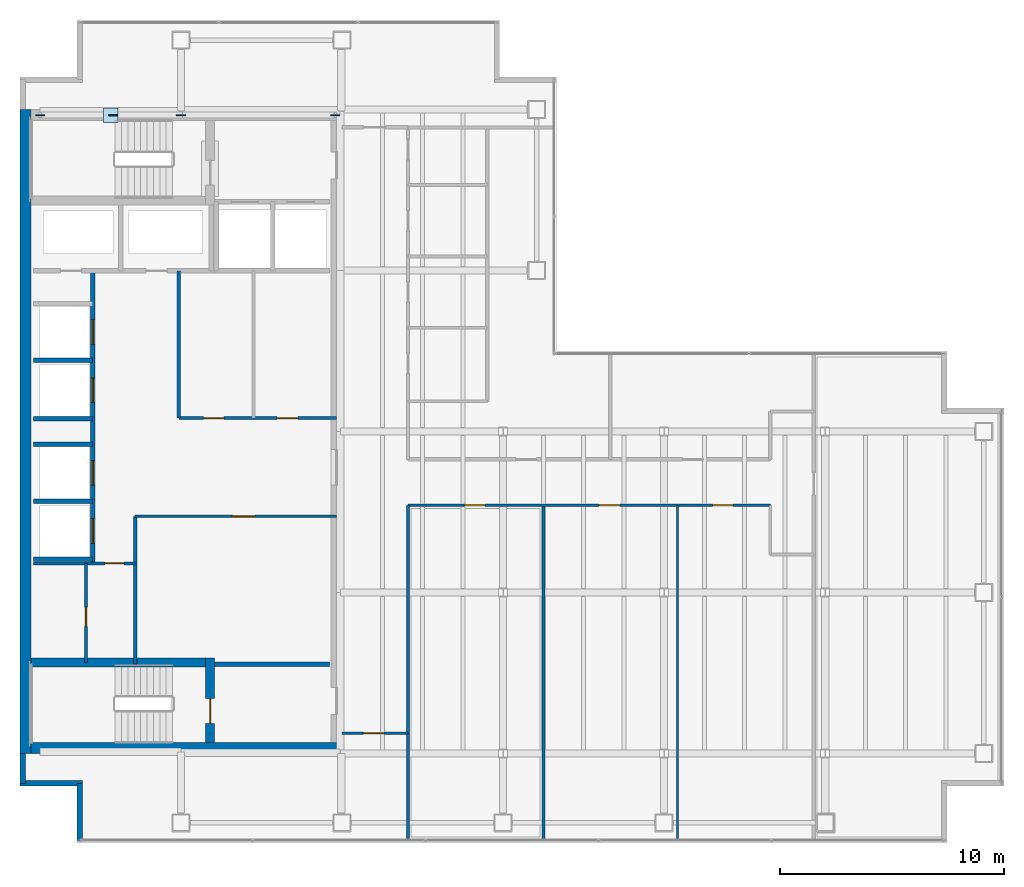
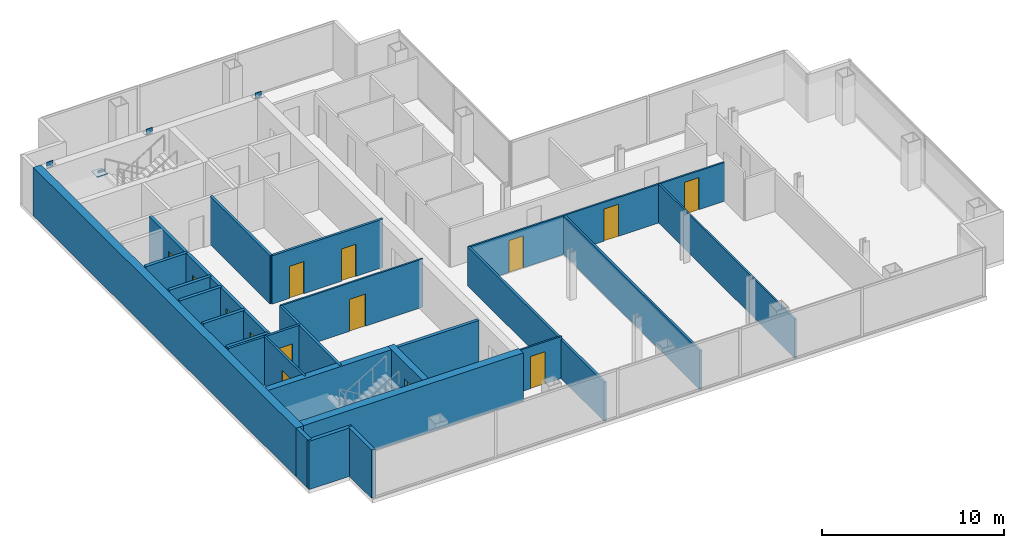
# One storey, part 20 of 23: 26 walls, 14 doors, 5 plates, 14 openings.
"""IFC4 building model written with IfcOpenShell, lengths in metres."""

from ifc_helpers import new_model, si_unit, direction, frame, frame_2d, origin, origin_2d, place, context, subcontext, project, spatial, rectangle, extrude, material, layer, layer_set, type_object, element, fill, save


model = new_model("IFC4")

# Units and contexts
model_context = context("Model", 3, precision=1e-05, world=origin(), true_north=direction((0.0, 1.0)))
body_context = subcontext(model_context, "Body", "Model", "MODEL_VIEW")
ifc_project = project(units=[si_unit("LENGTHUNIT", "METRE"), si_unit("AREAUNIT", "SQUARE_METRE"), si_unit("VOLUMEUNIT", "CUBIC_METRE"), si_unit("PLANEANGLEUNIT", "RADIAN"), si_unit("MASSUNIT", "GRAM", prefix="KILO")], contexts=[model_context])

# Site, building, storey
site_placement = place(None, origin())
site = spatial("IfcSite", under=ifc_project, at=site_placement, CompositionType="ELEMENT")
building_placement = place(site_placement, origin())
building = spatial("IfcBuilding", under=site, at=building_placement, Name="Cobrela Telecom Tower", CompositionType="ELEMENT")
storey_placement = place(building_placement, frame((0.0, 0.0, 187.25)))
storey = spatial("IfcBuildingStorey", under=building, at=storey_placement, Name="L47", CompositionType="ELEMENT", Elevation=187.25)

# Plates
ifc_material_1 = material(Name="Steel ASTM A572 Grade 50", Category="steel")
ifc_layer_1 = layer(ifc_material_1, 0.0419921875)
ifc_layer_set_1 = layer_set([ifc_layer_1], Name="Steel ASTM A572 Grade 50")
plate_type = type_object("IfcPlateType", Name="PLT-NODE-ND1", PredefinedType="USERDEFINED", material=ifc_layer_set_1)
for number, where, z_axis, x_axis, name in (
    (1, (7.199951171875, 35.75, 3.0751953125), (0.0, 0.0, 1.0), (1.0, 0.0, 0.0), "Steel node plate PLT-MBR-EXO-L47-N1-A-1"),
    (2, (4.173828125, 35.75, 1.349609375), (0.0, 0.0, 1.0), (-1.0, 0.0, 0.0), "Steel node plate PLT-MBR-EXO-L47-N1-B1-1"),
    (3, (0.89990234375, 35.75, 3.0751953125), (0.0, 0.0, 1.0), (-1.0, 0.0, 0.0), "Steel node plate PLT-MBR-EXO-L47-N1-B2-1"),
):
    element("IfcPlate", number, at=place(storey_placement, frame(where, z_axis=z_axis, x_axis=x_axis)), inside=storey, type_object=plate_type, Name=name, ObjectType="GUSSET PLATE", PredefinedType="USERDEFINED", context=body_context, shape_type="SweptSolid", body=[
        extrude(rectangle(XDim=0.409912109375, YDim=0.044921875, at=origin_2d()), origin(), (0.0, 0.0, 1.0), 0.409912109375),
    ])
plate_1_placement = place(storey_placement, frame((4.050048828125, 35.75, 1.59765625), z_axis=(0.0, 0.0, 1.0), x_axis=(1.0, 0.0, 0.0)))
element("IfcPlate", 4, at=plate_1_placement, inside=storey, type_object=plate_type, Name="L47 Core Flange Steel X-Brace Central X-Crossing Gusset Plate", ObjectType="GUSSET PLATE", PredefinedType="USERDEFINED", context=body_context, shape_type="SweptSolid", body=[
    extrude(rectangle(XDim=0.64990234375, YDim=0.64990234375, at=origin_2d()), origin(), (0.0, 0.0, 1.0), 0.044921875),
])
plate_2_placement = place(storey_placement, frame((14.10009765625, 35.75, 3.0751953125), z_axis=(0.0, 0.0, 1.0), x_axis=(1.0, 0.0, 0.0)))
element("IfcPlate", 5, at=plate_2_placement, inside=storey, type_object=plate_type, Name="Steel node plate PLT-MBR-EXO-L47-N2-1", ObjectType="GUSSET PLATE", PredefinedType="USERDEFINED", context=body_context, shape_type="SweptSolid", body=[
    extrude(rectangle(XDim=0.409912109375, YDim=0.044921875, at=origin_2d()), origin(), (0.0, 0.0, 1.0), 0.409912109375),
])

# Walls
ifc_material_2 = material(Name="Concrete C40/50", Category="concrete")
ifc_layer_2 = layer(ifc_material_2, 0.5)
ifc_layer_set_2 = layer_set([ifc_layer_2], Name="Concrete C40/50")
wall_type_1 = type_object("IfcWallType", Name="WALL-CORE-C40-500", PredefinedType="SHEAR", material=ifc_layer_set_2)
wall_1_placement = place(storey_placement, frame((0.25, 7.199951171875, 0.0), z_axis=(0.0, 0.0, 1.0), x_axis=(0.0, 1.0, 0.0)))
element("IfcWall", 6, at=wall_1_placement, inside=storey, type_object=wall_type_1, Name="L47 West Core Shear Wall", PredefinedType="SHEAR", context=body_context, shape_type="SweptSolid", body=[
    extrude(rectangle(XDim=28.800048828125, YDim=0.5, at=frame_2d((14.39990234375, 0.0))), origin(), (0.0, 0.0, 1.0), 3.239990234375),
])
wall_2_placement = place(storey_placement, frame((0.5, 7.449951171875, 0.0), z_axis=(0.0, 0.0, 1.0), x_axis=(1.0, 0.0, 0.0)))
element("IfcWall", 7, at=wall_2_placement, inside=storey, type_object=wall_type_1, Name="L47 South Core Shear Wall", PredefinedType="SHEAR", context=body_context, shape_type="SweptSolid", body=[
    extrude(rectangle(XDim=13.89990234375, YDim=0.5, at=frame_2d((6.949951171875, 0.0))), origin(), (0.0, 0.0, 1.0), 3.239990234375),
])
ifc_layer_3 = layer(ifc_material_2, 0.239990234375)
ifc_layer_set_3 = layer_set([ifc_layer_3], Name="Concrete C40/50")
wall_type_2 = type_object("IfcWallType", Name="WALL-EXT-300", PredefinedType="STANDARD", material=ifc_layer_set_3)
wall_3_placement = place(storey_placement, frame((2.669921875, 3.320068359375, 0.0), z_axis=(0.0, 0.0, 1.0), x_axis=(0.0, 1.0, 0.0)))
element("IfcWall", 8, at=wall_3_placement, inside=storey, type_object=wall_type_2, Name="L47 Insulated Facade Wall 01", PredefinedType="STANDARD", context=body_context, shape_type="SweptSolid", body=[
    extrude(rectangle(XDim=2.550048828125, YDim=0.239990234375, at=frame_2d((1.27490234375, 0.0))), origin(), (0.0, 0.0, 1.0), 3.239990234375),
])
wall_4_placement = place(storey_placement, frame((2.7900390625, 5.8701171875, 0.0), z_axis=(0.0, 0.0, 1.0), x_axis=(-1.0, 0.0, 0.0)))
element("IfcWall", 9, at=wall_4_placement, inside=storey, type_object=wall_type_2, Name="L47 Insulated Facade Wall 02", PredefinedType="STANDARD", context=body_context, shape_type="SweptSolid", body=[
    extrude(rectangle(XDim=2.7900390625, YDim=0.239990234375, at=frame_2d((1.39501953125, 0.0))), origin(), (0.0, 0.0, 1.0), 3.239990234375),
])
wall_5_placement = place(storey_placement, frame((0.1201171875, 5.8701171875, 0.0), z_axis=(0.0, 0.0, 1.0), x_axis=(0.0, 1.0, 0.0)))
element("IfcWall", 10, at=wall_5_placement, inside=storey, type_object=wall_type_2, Name="L47 Insulated Facade Wall 03", PredefinedType="STANDARD", context=body_context, shape_type="SweptSolid", body=[
    extrude(rectangle(XDim=1.329833984375, YDim=0.239990234375, at=frame_2d((0.6650390625, 0.0))), origin(), (0.0, 0.0, 1.0), 3.239990234375),
])

# Wall, opening, door
ifc_material_3 = material(Name="Fire-Rated Gypsum Plasterboard")
ifc_layer_4 = layer(ifc_material_3, 0.110107421875)
ifc_layer_set_4 = layer_set([ifc_layer_4], Name="Fire-Rated Gypsum Plasterboard")
wall_type_3 = type_object("IfcWallType", Name="WALL-PART-110", PredefinedType="PARTITIONING", material=ifc_layer_set_4)
wall_6_placement = place(storey_placement, frame((5.14990234375, 17.800048828125, 0.0), z_axis=(0.0, 0.0, 1.0), x_axis=(1.0, 0.0, 0.0)))
wall_6 = element("IfcWall", 11, at=wall_6_placement, inside=storey, type_object=wall_type_3, Name="L47 Interior Partition CW-RECM-N", PredefinedType="PARTITIONING", context=body_context, shape_type="SweptSolid", body=[
    extrude(rectangle(XDim=9.0, YDim=0.110107421875, at=frame_2d((4.5, 0.0))), origin(), (0.0, 0.0, 1.0), 3.239990234375),
])
opening_1_placement = place(wall_6_placement, frame((4.35009765625, 0.0, 0.0)))
opening_1 = element("IfcOpeningElement", 12, at=opening_1_placement, cuts=wall_6, Name="Opening DR-31", PredefinedType="OPENING", context=body_context, shape_type="SweptSolid", body=[
    extrude(rectangle(XDim=1.0, YDim=2.14990234375, at=frame_2d((0.5, 1.074951171875))), frame((0.0, 0.06689453125, 0.0), z_axis=(0.0, -1.0, 0.0), x_axis=(1.0, 0.0, 0.0)), (0.0, 0.0, 1.0), 0.134033203125),
])
ifc_material_4 = material(Name="Solid Engineered Oak Timber", Category="wood")
door_type_1 = type_object("IfcDoorType", Name="DOOR-INT-1000", OperationType="SINGLE_SWING_LEFT", PredefinedType="DOOR", material=ifc_material_4)
door_1_placement = place(opening_1_placement, origin())
door_1 = element("IfcDoor", 13, at=door_1_placement, inside=storey, type_object=door_type_1, Name="L47 Door DR-31", OperationType="SINGLE_SWING_LEFT", OverallHeight=2.14990234375, OverallWidth=1.0, PredefinedType="DOOR", context=body_context, shape_type="SweptSolid", body=[
    extrude(rectangle(XDim=1.0, YDim=2.14990234375, at=frame_2d((0.5, 1.074951171875))), frame((0.0, 0.02490234375, 0.0), z_axis=(0.0, -1.0, 0.0), x_axis=(1.0, 0.0, 0.0)), (0.0, 0.0, 1.0), 0.050048828125),
])
fill(opening_1, door_1)

wall_7_placement = place(storey_placement, frame((14.39990234375, 8.10009765625, 0.0), z_axis=(0.0, 0.0, 1.0), x_axis=(1.0, 0.0, 0.0)))
wall_7 = element("IfcWall", 14, at=wall_7_placement, inside=storey, type_object=wall_type_3, Name="L47 Interior Partition W-C-S0", PredefinedType="PARTITIONING", context=body_context, shape_type="SweptSolid", body=[
    extrude(rectangle(XDim=2.9501953125, YDim=0.110107421875, at=frame_2d((1.47509765625, 0.0))), origin(), (0.0, 0.0, 1.0), 2.80810546875),
])
opening_2_placement = place(wall_7_placement, frame((0.949951171875, 0.0, 0.0)))
opening_2 = element("IfcOpeningElement", 15, at=opening_2_placement, cuts=wall_7, Name="Opening DR-45", PredefinedType="OPENING", context=body_context, shape_type="SweptSolid", body=[
    extrude(rectangle(XDim=0.919921875, YDim=2.14990234375, at=frame_2d((0.4599609375, 1.074951171875))), frame((0.0, 0.06689453125, 0.0), z_axis=(0.0, -1.0, 0.0), x_axis=(1.0, 0.0, 0.0)), (0.0, 0.0, 1.0), 0.134033203125),
])
door_type_2 = type_object("IfcDoorType", Name="DOOR-INT-920", OperationType="SINGLE_SWING_LEFT", PredefinedType="DOOR", material=ifc_material_4)
door_2_placement = place(opening_2_placement, origin())
door_2 = element("IfcDoor", 16, at=door_2_placement, inside=storey, type_object=door_type_2, Name="L47 Door DR-45", OperationType="SINGLE_SWING_RIGHT", OverallHeight=2.14990234375, OverallWidth=0.919921875, PredefinedType="DOOR", context=body_context, shape_type="SweptSolid", body=[
    extrude(rectangle(XDim=0.919921875, YDim=2.14990234375, at=frame_2d((0.4599609375, 1.074951171875))), frame((0.0, 0.02490234375, 0.0), z_axis=(0.0, -1.0, 0.0), x_axis=(1.0, 0.0, 0.0)), (0.0, 0.0, 1.0), 0.050048828125),
])
fill(opening_2, door_2)

# Wall, openings, doors
wall_8_placement = place(storey_placement, frame((17.35009765625, 18.300048828125, 0.0), z_axis=(0.0, 0.0, 1.0), x_axis=(1.0, 0.0, 0.0)))
wall_8 = element("IfcWall", 17, at=wall_8_placement, inside=storey, type_object=wall_type_3, Name="L47 Interior Partition W-C-HS", PredefinedType="PARTITIONING", context=body_context, shape_type="SweptSolid", body=[
    extrude(rectangle(XDim=16.199951171875, YDim=0.110107421875, at=frame_2d((8.10009765625, 0.0))), origin(), (0.0, 0.0, 1.0), 2.60302734375),
])
opening_3_placement = place(wall_8_placement, frame((2.52001953125, 0.0, 0.0)))
opening_3 = element("IfcOpeningElement", 18, at=opening_3_placement, cuts=wall_8, Name="Opening DR-45", PredefinedType="OPENING", context=body_context, shape_type="SweptSolid", body=[
    extrude(rectangle(XDim=0.919921875, YDim=2.14990234375, at=frame_2d((0.4599609375, 1.074951171875))), frame((0.0, 0.06689453125, 0.0), z_axis=(0.0, -1.0, 0.0), x_axis=(1.0, 0.0, 0.0)), (0.0, 0.0, 1.0), 0.134033203125),
])
opening_4_placement = place(wall_8_placement, frame((8.550048828125, 0.0, 0.0)))
opening_4 = element("IfcOpeningElement", 19, at=opening_4_placement, cuts=wall_8, Name="Opening DR-45", PredefinedType="OPENING", context=body_context, shape_type="SweptSolid", body=[
    extrude(rectangle(XDim=0.919921875, YDim=2.14990234375, at=frame_2d((0.4599609375, 1.074951171875))), frame((0.0, 0.06689453125, 0.0), z_axis=(0.0, -1.0, 0.0), x_axis=(1.0, 0.0, 0.0)), (0.0, 0.0, 1.0), 0.134033203125),
])
opening_5_placement = place(wall_8_placement, frame((13.6201171875, 0.0, 0.0)))
opening_5 = element("IfcOpeningElement", 20, at=opening_5_placement, cuts=wall_8, Name="Opening DR-45", PredefinedType="OPENING", context=body_context, shape_type="SweptSolid", body=[
    extrude(rectangle(XDim=0.919921875, YDim=2.14990234375, at=frame_2d((0.4599609375, 1.074951171875))), frame((0.0, 0.06689453125, 0.0), z_axis=(0.0, -1.0, 0.0), x_axis=(1.0, 0.0, 0.0)), (0.0, 0.0, 1.0), 0.134033203125),
])
door_3_placement = place(opening_3_placement, origin())
door_3 = element("IfcDoor", 21, at=door_3_placement, inside=storey, type_object=door_type_2, Name="L47 Door DR-45", OperationType="SINGLE_SWING_LEFT", OverallHeight=2.14990234375, OverallWidth=0.919921875, PredefinedType="DOOR", context=body_context, shape_type="SweptSolid", body=[
    extrude(rectangle(XDim=0.919921875, YDim=2.14990234375, at=frame_2d((0.4599609375, 1.074951171875))), frame((0.0, 0.02490234375, 0.0), z_axis=(0.0, -1.0, 0.0), x_axis=(1.0, 0.0, 0.0)), (0.0, 0.0, 1.0), 0.050048828125),
])
fill(opening_3, door_3)
door_4_placement = place(opening_4_placement, origin())
door_4 = element("IfcDoor", 22, at=door_4_placement, inside=storey, type_object=door_type_2, Name="L47 Door DR-45", OperationType="SINGLE_SWING_RIGHT", OverallHeight=2.14990234375, OverallWidth=0.919921875, PredefinedType="DOOR", context=body_context, shape_type="SweptSolid", body=[
    extrude(rectangle(XDim=0.919921875, YDim=2.14990234375, at=frame_2d((0.4599609375, 1.074951171875))), frame((0.0, 0.02490234375, 0.0), z_axis=(0.0, -1.0, 0.0), x_axis=(1.0, 0.0, 0.0)), (0.0, 0.0, 1.0), 0.050048828125),
])
fill(opening_4, door_4)
door_5_placement = place(opening_5_placement, origin())
door_5 = element("IfcDoor", 23, at=door_5_placement, inside=storey, type_object=door_type_2, Name="L47 Door DR-45", OperationType="SINGLE_SWING_LEFT", OverallHeight=2.14990234375, OverallWidth=0.919921875, PredefinedType="DOOR", context=body_context, shape_type="SweptSolid", body=[
    extrude(rectangle(XDim=0.919921875, YDim=2.14990234375, at=frame_2d((0.4599609375, 1.074951171875))), frame((0.0, 0.02490234375, 0.0), z_axis=(0.0, -1.0, 0.0), x_axis=(1.0, 0.0, 0.0)), (0.0, 0.0, 1.0), 0.050048828125),
])
fill(opening_5, door_5)

# Wall
wall_9_placement = place(storey_placement, frame((29.39990234375, 3.320068359375, 0.0), z_axis=(0.0, 0.0, 1.0), x_axis=(0.0, 1.0, 0.0)))
element("IfcWall", 24, at=wall_9_placement, inside=storey, type_object=wall_type_3, Name="L47 Interior Partition W-SV-2", PredefinedType="PARTITIONING", context=body_context, shape_type="SweptSolid", body=[
    extrude(rectangle(XDim=14.97998046875, YDim=0.110107421875, at=frame_2d((7.489990234375, 0.0))), origin(), (0.0, 0.0, 1.0), 2.60302734375),
])

# Wall, opening, door
ifc_layer_5 = layer(ifc_material_3, 0.125)
ifc_layer_set_5 = layer_set([ifc_layer_5], Name="Fire-Rated Gypsum Plasterboard")
wall_type_4 = type_object("IfcWallType", Name="WALL-PART-125", PredefinedType="PARTITIONING", material=ifc_layer_set_5)
wall_10_placement = place(storey_placement, frame((2.949951171875, 11.280029296875, 0.0), z_axis=(0.0, 0.0, 1.0), x_axis=(0.0, 1.0, 0.0)))
wall_10 = element("IfcWall", 25, at=wall_10_placement, inside=storey, type_object=wall_type_4, Name="L47 Interior Partition CW-FK1-V", PredefinedType="PARTITIONING", context=body_context, shape_type="SweptSolid", body=[
    extrude(rectangle(XDim=4.419921875, YDim=0.125, at=frame_2d((2.2099609375, 0.0))), origin(), (0.0, 0.0, 1.0), 3.239990234375),
])
opening_6_placement = place(wall_10_placement, frame((1.60009765625, 0.0, 0.0)))
opening_6 = element("IfcOpeningElement", 26, at=opening_6_placement, cuts=wall_10, Name="Opening DR-11", PredefinedType="OPENING", context=body_context, shape_type="SweptSolid", body=[
    extrude(rectangle(XDim=0.85009765625, YDim=2.14990234375, at=frame_2d((0.425048828125, 1.074951171875))), frame((0.0, 0.074462890625, 0.0), z_axis=(0.0, -1.0, 0.0), x_axis=(1.0, 0.0, 0.0)), (0.0, 0.0, 1.0), 0.14892578125),
])
door_type_3 = type_object("IfcDoorType", Name="DOOR-INT-850", OperationType="SINGLE_SWING_LEFT", PredefinedType="DOOR", material=ifc_material_4)
door_6_placement = place(opening_6_placement, origin())
door_6 = element("IfcDoor", 27, at=door_6_placement, inside=storey, type_object=door_type_3, Name="L47 Door DR-11", OperationType="SINGLE_SWING_RIGHT", OverallHeight=2.14990234375, OverallWidth=0.85009765625, PredefinedType="DOOR", context=body_context, shape_type="SweptSolid", body=[
    extrude(rectangle(XDim=0.85009765625, YDim=2.14990234375, at=frame_2d((0.425048828125, 1.074951171875))), frame((0.0, 0.02490234375, 0.0), z_axis=(0.0, -1.0, 0.0), x_axis=(1.0, 0.0, 0.0)), (0.0, 0.0, 1.0), 0.050048828125),
])
fill(opening_6, door_6)

# Wall
ifc_layer_6 = layer(ifc_material_3, 0.135009765625)
ifc_layer_set_6 = layer_set([ifc_layer_6], Name="Fire-Rated Gypsum Plasterboard")
wall_type_5 = type_object("IfcWallType", Name="WALL-PART-135", PredefinedType="PARTITIONING", material=ifc_layer_set_6)
wall_11_placement = place(storey_placement, frame((23.39990234375, 3.320068359375, 0.0), z_axis=(0.0, 0.0, 1.0), x_axis=(0.0, 1.0, 0.0)))
element("IfcWall", 28, at=wall_11_placement, inside=storey, type_object=wall_type_5, Name="L47 Interior Partition W-SV-1", PredefinedType="PARTITIONING", context=body_context, shape_type="SweptSolid", body=[
    extrude(rectangle(XDim=14.97998046875, YDim=0.135009765625, at=frame_2d((7.489990234375, 0.0))), origin(), (0.0, 0.0, 1.0), 2.60302734375),
])

# Wall, openings, doors
ifc_layer_7 = layer(ifc_material_3, 0.14990234375)
ifc_layer_set_7 = layer_set([ifc_layer_7], Name="Fire-Rated Gypsum Plasterboard")
wall_type_6 = type_object("IfcWallType", Name="WALL-PART-150", PredefinedType="PARTITIONING", material=ifc_layer_set_7)
wall_12_placement = place(storey_placement, frame((7.10009765625, 22.199951171875, 0.0), z_axis=(0.0, 0.0, 1.0), x_axis=(1.0, 0.0, 0.0)))
wall_12 = element("IfcWall", 29, at=wall_12_placement, inside=storey, type_object=wall_type_6, Name="L47 Interior Partition CW-RECL-S", PredefinedType="PARTITIONING", context=body_context, shape_type="SweptSolid", body=[
    extrude(rectangle(XDim=7.0498046875, YDim=0.14990234375, at=frame_2d((3.52490234375, 0.0))), origin(), (0.0, 0.0, 1.0), 3.239990234375),
])
opening_7_placement = place(wall_12_placement, frame((1.10009765625, 0.0, 0.0)))
opening_7 = element("IfcOpeningElement", 30, at=opening_7_placement, cuts=wall_12, Name="Opening DR-45", PredefinedType="OPENING", context=body_context, shape_type="SweptSolid", body=[
    extrude(rectangle(XDim=0.919921875, YDim=2.14990234375, at=frame_2d((0.4599609375, 1.074951171875))), frame((0.0, 0.0869140625, 0.0), z_axis=(0.0, -1.0, 0.0), x_axis=(1.0, 0.0, 0.0)), (0.0, 0.0, 1.0), 0.173828125),
])
opening_8_placement = place(wall_12_placement, frame((4.39990234375, 0.0, 0.0)))
opening_8 = element("IfcOpeningElement", 31, at=opening_8_placement, cuts=wall_12, Name="Opening DR-45", PredefinedType="OPENING", context=body_context, shape_type="SweptSolid", body=[
    extrude(rectangle(XDim=0.919921875, YDim=2.14990234375, at=frame_2d((0.4599609375, 1.074951171875))), frame((0.0, 0.0869140625, 0.0), z_axis=(0.0, -1.0, 0.0), x_axis=(1.0, 0.0, 0.0)), (0.0, 0.0, 1.0), 0.173828125),
])
door_7_placement = place(opening_7_placement, origin())
door_7 = element("IfcDoor", 32, at=door_7_placement, inside=storey, type_object=door_type_2, Name="L47 Door DR-45", OperationType="SINGLE_SWING_LEFT", OverallHeight=2.14990234375, OverallWidth=0.919921875, PredefinedType="DOOR", context=body_context, shape_type="SweptSolid", body=[
    extrude(rectangle(XDim=0.919921875, YDim=2.14990234375, at=frame_2d((0.4599609375, 1.074951171875))), frame((0.0, 0.02490234375, 0.0), z_axis=(0.0, -1.0, 0.0), x_axis=(1.0, 0.0, 0.0)), (0.0, 0.0, 1.0), 0.050048828125),
])
fill(opening_7, door_7)
door_8_placement = place(opening_8_placement, origin())
door_8 = element("IfcDoor", 33, at=door_8_placement, inside=storey, type_object=door_type_2, Name="L47 Door DR-45", OperationType="SINGLE_SWING_RIGHT", OverallHeight=2.14990234375, OverallWidth=0.919921875, PredefinedType="DOOR", context=body_context, shape_type="SweptSolid", body=[
    extrude(rectangle(XDim=0.919921875, YDim=2.14990234375, at=frame_2d((0.4599609375, 1.074951171875))), frame((0.0, 0.02490234375, 0.0), z_axis=(0.0, -1.0, 0.0), x_axis=(1.0, 0.0, 0.0)), (0.0, 0.0, 1.0), 0.050048828125),
])
fill(opening_8, door_8)

# Wall, opening, door
wall_13_placement = place(storey_placement, frame((0.60009765625, 15.699951171875, 0.0), z_axis=(0.0, 0.0, 1.0), x_axis=(1.0, 0.0, 0.0)))
wall_13 = element("IfcWall", 34, at=wall_13_placement, inside=storey, type_object=wall_type_6, Name="L47 Interior Partition CW-FLEX-N", PredefinedType="PARTITIONING", context=body_context, shape_type="SweptSolid", body=[
    extrude(rectangle(XDim=4.5498046875, YDim=0.14990234375, at=frame_2d((2.27490234375, 0.0))), origin(), (0.0, 0.0, 1.0), 3.239990234375),
])
opening_9_placement = place(wall_13_placement, frame((3.199951171875, 0.0, 0.0)))
opening_9 = element("IfcOpeningElement", 35, at=opening_9_placement, cuts=wall_13, Name="Opening DR-11", PredefinedType="OPENING", context=body_context, shape_type="SweptSolid", body=[
    extrude(rectangle(XDim=0.85009765625, YDim=2.14990234375, at=frame_2d((0.425048828125, 1.074951171875))), frame((0.0, 0.0869140625, 0.0), z_axis=(0.0, -1.0, 0.0), x_axis=(1.0, 0.0, 0.0)), (0.0, 0.0, 1.0), 0.173828125),
])
door_9_placement = place(opening_9_placement, origin())
door_9 = element("IfcDoor", 36, at=door_9_placement, inside=storey, type_object=door_type_3, Name="L47 Door DR-11", OperationType="SINGLE_SWING_LEFT", OverallHeight=2.14990234375, OverallWidth=0.85009765625, PredefinedType="DOOR", context=body_context, shape_type="SweptSolid", body=[
    extrude(rectangle(XDim=0.85009765625, YDim=2.14990234375, at=frame_2d((0.425048828125, 1.074951171875))), frame((0.0, 0.02490234375, 0.0), z_axis=(0.0, -1.0, 0.0), x_axis=(1.0, 0.0, 0.0)), (0.0, 0.0, 1.0), 0.050048828125),
])
fill(opening_9, door_9)

# Walls
wall_14_placement = place(storey_placement, frame((17.35009765625, 8.10009765625, 0.0), z_axis=(0.0, 0.0, 1.0), x_axis=(0.0, 1.0, 0.0)))
element("IfcWall", 37, at=wall_14_placement, inside=storey, type_object=wall_type_6, Name="L47 Interior Partition W-C-E1", PredefinedType="PARTITIONING", context=body_context, shape_type="SweptSolid", body=[
    extrude(rectangle(XDim=10.199951171875, YDim=0.14990234375, at=frame_2d((5.10009765625, 0.0))), origin(), (0.0, 0.0, 1.0), 2.60302734375),
])
wall_15_placement = place(storey_placement, frame((17.35009765625, 3.320068359375, 0.0), z_axis=(0.0, 0.0, 1.0), x_axis=(0.0, 1.0, 0.0)))
element("IfcWall", 38, at=wall_15_placement, inside=storey, type_object=wall_type_6, Name="L47 Interior Partition W-SW-E", PredefinedType="PARTITIONING", context=body_context, shape_type="SweptSolid", body=[
    extrude(rectangle(XDim=4.780029296875, YDim=0.14990234375, at=frame_2d((2.39013671875, 0.0))), origin(), (0.0, 0.0, 1.0), 2.60302734375),
])
ifc_layer_8 = layer(ifc_material_3, 0.159912109375)
ifc_layer_set_8 = layer_set([ifc_layer_8], Name="Fire-Rated Gypsum Plasterboard")
wall_type_7 = type_object("IfcWallType", Name="WALL-PART-160", PredefinedType="PARTITIONING", material=ifc_layer_set_8)
wall_16_placement = place(storey_placement, frame((7.10009765625, 22.199951171875, 0.0), z_axis=(0.0, 0.0, 1.0), x_axis=(0.0, 1.0, 0.0)))
element("IfcWall", 39, at=wall_16_placement, inside=storey, type_object=wall_type_7, Name="L47 Interior Partition CW-RECL-W", PredefinedType="PARTITIONING", context=body_context, shape_type="SweptSolid", body=[
    extrude(rectangle(XDim=6.580078125, YDim=0.159912109375, at=frame_2d((3.2900390625, 0.0))), origin(), (0.0, 0.0, 1.0), 3.239990234375),
])
wall_17_placement = place(storey_placement, frame((5.14990234375, 11.199951171875, 0.0), z_axis=(0.0, 0.0, 1.0), x_axis=(0.0, 1.0, 0.0)))
element("IfcWall", 40, at=wall_17_placement, inside=storey, type_object=wall_type_7, Name="L47 Interior Partition CW-RECM-W", PredefinedType="PARTITIONING", context=body_context, shape_type="SweptSolid", body=[
    extrude(rectangle(XDim=6.60009765625, YDim=0.159912109375, at=frame_2d((3.300048828125, 0.0))), origin(), (0.0, 0.0, 1.0), 3.239990234375),
])
ifc_layer_9 = layer(ifc_material_3, 0.199951171875)
ifc_layer_set_9 = layer_set([ifc_layer_9], Name="Fire-Rated Gypsum Plasterboard")
wall_type_8 = type_object("IfcWallType", Name="WALL-SHAFT-200", PredefinedType="PARTITIONING", material=ifc_layer_set_9)
wall_18_placement = place(storey_placement, frame((8.699951171875, 11.199951171875, 0.0), z_axis=(0.0, 0.0, 1.0), x_axis=(1.0, 0.0, 0.0)))
element("IfcWall", 41, at=wall_18_placement, inside=storey, type_object=wall_type_8, Name="L47 Shaft Enclosure CW-ST2L-N", PredefinedType="PARTITIONING", context=body_context, shape_type="SweptSolid", body=[
    extrude(rectangle(XDim=5.150146484375, YDim=0.199951171875, at=frame_2d((2.5751953125, 0.0))), origin(), (0.0, 0.0, 1.0), 3.239990234375),
])

# Wall, openings, doors
wall_19_placement = place(storey_placement, frame((3.25, 15.699951171875, 0.0), z_axis=(0.0, 0.0, 1.0), x_axis=(0.0, 1.0, 0.0)))
wall_19 = element("IfcWall", 42, at=wall_19_placement, inside=storey, type_object=wall_type_8, Name="L47 Shaft Enclosure CW-PLH-E", PredefinedType="PARTITIONING", context=body_context, shape_type="SweptSolid", body=[
    extrude(rectangle(XDim=13.080078125, YDim=0.199951171875, at=frame_2d((6.5400390625, 0.0))), origin(), (0.0, 0.0, 1.0), 3.239990234375),
])
opening_10_placement = place(wall_19_placement, frame((0.89990234375, 0.0, 0.0)))
opening_10 = element("IfcOpeningElement", 43, at=opening_10_placement, cuts=wall_19, Name="Opening LD-1", PredefinedType="OPENING", context=body_context, shape_type="SweptSolid", body=[
    extrude(rectangle(XDim=1.10009765625, YDim=2.199951171875, at=frame_2d((0.550048828125, 1.10009765625))), frame((0.0, 0.11181640625, 0.0), z_axis=(0.0, -1.0, 0.0), x_axis=(1.0, 0.0, 0.0)), (0.0, 0.0, 1.0), 0.223876953125),
])
opening_11_placement = place(wall_19_placement, frame((3.5, 0.0, 0.0)))
opening_11 = element("IfcOpeningElement", 44, at=opening_11_placement, cuts=wall_19, Name="Opening LD-1", PredefinedType="OPENING", context=body_context, shape_type="SweptSolid", body=[
    extrude(rectangle(XDim=1.10009765625, YDim=2.199951171875, at=frame_2d((0.550048828125, 1.10009765625))), frame((0.0, 0.11181640625, 0.0), z_axis=(0.0, -1.0, 0.0), x_axis=(1.0, 0.0, 0.0)), (0.0, 0.0, 1.0), 0.223876953125),
])
opening_12_placement = place(wall_19_placement, frame((7.199951171875, 0.0, 0.0)))
opening_12 = element("IfcOpeningElement", 45, at=opening_12_placement, cuts=wall_19, Name="Opening LD-1", PredefinedType="OPENING", context=body_context, shape_type="SweptSolid", body=[
    extrude(rectangle(XDim=1.10009765625, YDim=2.199951171875, at=frame_2d((0.550048828125, 1.10009765625))), frame((0.0, 0.11181640625, 0.0), z_axis=(0.0, -1.0, 0.0), x_axis=(1.0, 0.0, 0.0)), (0.0, 0.0, 1.0), 0.223876953125),
])
opening_13_placement = place(wall_19_placement, frame((9.800048828125, 0.0, 0.0)))
opening_13 = element("IfcOpeningElement", 46, at=opening_13_placement, cuts=wall_19, Name="Opening LD-1", PredefinedType="OPENING", context=body_context, shape_type="SweptSolid", body=[
    extrude(rectangle(XDim=1.10009765625, YDim=2.199951171875, at=frame_2d((0.550048828125, 1.10009765625))), frame((0.0, 0.11181640625, 0.0), z_axis=(0.0, -1.0, 0.0), x_axis=(1.0, 0.0, 0.0)), (0.0, 0.0, 1.0), 0.223876953125),
])
ifc_material_5 = material(Name="Steel ASTM A36", Category="steel")
door_type_4 = type_object("IfcDoorType", Name="DOOR-LD-PL", OperationType="SINGLE_SWING_LEFT", PredefinedType="DOOR", material=ifc_material_5)
door_10_placement = place(opening_10_placement, origin())
door_10 = element("IfcDoor", 47, at=door_10_placement, inside=storey, type_object=door_type_4, Name="L47 Lift Landing Door LD-1", OperationType="DOUBLE_DOOR_SLIDING", OverallHeight=2.199951171875, OverallWidth=1.10009765625, PredefinedType="DOOR", context=body_context, shape_type="SweptSolid", body=[
    extrude(rectangle(XDim=1.10009765625, YDim=2.199951171875, at=frame_2d((0.550048828125, 1.10009765625))), frame((0.0, 0.02490234375, 0.0), z_axis=(0.0, -1.0, 0.0), x_axis=(1.0, 0.0, 0.0)), (0.0, 0.0, 1.0), 0.050048828125),
])
fill(opening_10, door_10)
door_11_placement = place(opening_11_placement, origin())
door_11 = element("IfcDoor", 48, at=door_11_placement, inside=storey, type_object=door_type_4, Name="L47 Lift Landing Door LD-1", OperationType="DOUBLE_DOOR_SLIDING", OverallHeight=2.199951171875, OverallWidth=1.10009765625, PredefinedType="DOOR", context=body_context, shape_type="SweptSolid", body=[
    extrude(rectangle(XDim=1.10009765625, YDim=2.199951171875, at=frame_2d((0.550048828125, 1.10009765625))), frame((0.0, 0.02490234375, 0.0), z_axis=(0.0, -1.0, 0.0), x_axis=(1.0, 0.0, 0.0)), (0.0, 0.0, 1.0), 0.050048828125),
])
fill(opening_11, door_11)
door_12_placement = place(opening_12_placement, origin())
door_12 = element("IfcDoor", 49, at=door_12_placement, inside=storey, type_object=door_type_4, Name="L47 Lift Landing Door LD-1", OperationType="DOUBLE_DOOR_SLIDING", OverallHeight=2.199951171875, OverallWidth=1.10009765625, PredefinedType="DOOR", context=body_context, shape_type="SweptSolid", body=[
    extrude(rectangle(XDim=1.10009765625, YDim=2.199951171875, at=frame_2d((0.550048828125, 1.10009765625))), frame((0.0, 0.02490234375, 0.0), z_axis=(0.0, -1.0, 0.0), x_axis=(1.0, 0.0, 0.0)), (0.0, 0.0, 1.0), 0.050048828125),
])
fill(opening_12, door_12)
door_13_placement = place(opening_13_placement, origin())
door_13 = element("IfcDoor", 50, at=door_13_placement, inside=storey, type_object=door_type_4, Name="L47 Lift Landing Door LD-1", OperationType="DOUBLE_DOOR_SLIDING", OverallHeight=2.199951171875, OverallWidth=1.10009765625, PredefinedType="DOOR", context=body_context, shape_type="SweptSolid", body=[
    extrude(rectangle(XDim=1.10009765625, YDim=2.199951171875, at=frame_2d((0.550048828125, 1.10009765625))), frame((0.0, 0.02490234375, 0.0), z_axis=(0.0, -1.0, 0.0), x_axis=(1.0, 0.0, 0.0)), (0.0, 0.0, 1.0), 0.050048828125),
])
fill(opening_13, door_13)

# Walls
for number, where, z_axis, x_axis, name in (
    (51, (0.60009765625, 15.8798828125, 0.0), (0.0, 0.0, 1.0), (1.0, 0.0, 0.0), "L47 Shaft Enclosure CW-PLH-D9"),
    (52, (0.60009765625, 18.47998046875, 0.0), (0.0, 0.0, 1.0), (1.0, 0.0, 0.0), "L47 Shaft Enclosure CW-PLH-D10"),
    (53, (0.60009765625, 22.179931640625, 0.0), (0.0, 0.0, 1.0), (1.0, 0.0, 0.0), "L47 Shaft Enclosure CW-PLH-D11"),
    (54, (0.60009765625, 24.780029296875, 0.0), (0.0, 0.0, 1.0), (1.0, 0.0, 0.0), "L47 Shaft Enclosure CW-PLH-D12"),
    (55, (0.60009765625, 21.02001953125, 0.0), (0.0, 0.0, 1.0), (1.0, 0.0, 0.0), "L47 Shaft Enclosure CW-PLH-MID"),
):
    element("IfcWall", number, at=place(storey_placement, frame(where, z_axis=z_axis, x_axis=x_axis)), inside=storey, type_object=wall_type_8, Name=name, PredefinedType="PARTITIONING", context=body_context, shape_type="SweptSolid", body=[
        extrude(rectangle(XDim=2.64990234375, YDim=0.199951171875, at=frame_2d((1.324951171875, 0.0))), origin(), (0.0, 0.0, 1.0), 3.239990234375),
    ])
ifc_layer_10 = layer(ifc_material_2, 0.39990234375)
ifc_layer_set_10 = layer_set([ifc_layer_10], Name="Concrete C40/50")
wall_type_9 = type_object("IfcWallType", Name="WALL-SHAFT-C40-400", PredefinedType="SHEAR", material=ifc_layer_set_10)
wall_20_placement = place(storey_placement, frame((0.5, 11.280029296875, 0.0), z_axis=(0.0, 0.0, 1.0), x_axis=(1.0, 0.0, 0.0)))
element("IfcWall", 56, at=wall_20_placement, inside=storey, type_object=wall_type_9, Name="L47 South Stair Shear Wall", PredefinedType="SHEAR", context=body_context, shape_type="SweptSolid", body=[
    extrude(rectangle(XDim=7.800048828125, YDim=0.39990234375, at=frame_2d((3.89990234375, 0.0))), origin(), (0.0, 0.0, 1.0), 3.239990234375),
])

# Wall, opening, door
wall_21_placement = place(storey_placement, frame((8.5, 7.699951171875, 0.0), z_axis=(0.0, 0.0, 1.0), x_axis=(0.0, 1.0, 0.0)))
wall_21 = element("IfcWall", 57, at=wall_21_placement, inside=storey, type_object=wall_type_9, Name="L47 South Stair Lobby Shear Wall", PredefinedType="SHEAR", context=body_context, shape_type="SweptSolid", body=[
    extrude(rectangle(XDim=3.780029296875, YDim=0.39990234375, at=frame_2d((1.89013671875, 0.0))), origin(), (0.0, 0.0, 1.0), 3.239990234375),
])
opening_14_placement = place(wall_21_placement, frame((0.85009765625, 0.0, 0.0)))
opening_14 = element("IfcOpeningElement", 58, at=opening_14_placement, cuts=wall_21, Name="Opening FD-90", PredefinedType="OPENING", context=body_context, shape_type="SweptSolid", body=[
    extrude(rectangle(XDim=1.10009765625, YDim=2.14990234375, at=frame_2d((0.550048828125, 1.074951171875))), frame((0.0, 0.2119140625, 0.0), z_axis=(0.0, -1.0, 0.0), x_axis=(1.0, 0.0, 0.0)), (0.0, 0.0, 1.0), 0.423828125),
])
door_type_5 = type_object("IfcDoorType", Name="DOOR-FD90-1100", OperationType="SINGLE_SWING_LEFT", PredefinedType="DOOR", material=ifc_material_5)
door_14_placement = place(opening_14_placement, origin())
door_14 = element("IfcDoor", 59, at=door_14_placement, inside=storey, type_object=door_type_5, Name="L47 Door FD-90", OperationType="SINGLE_SWING_LEFT", OverallHeight=2.14990234375, OverallWidth=1.10009765625, PredefinedType="DOOR", context=body_context, shape_type="SweptSolid", body=[
    extrude(rectangle(XDim=1.10009765625, YDim=2.14990234375, at=frame_2d((0.550048828125, 1.074951171875))), frame((0.0, 0.02490234375, 0.0), z_axis=(0.0, -1.0, 0.0), x_axis=(1.0, 0.0, 0.0)), (0.0, 0.0, 1.0), 0.050048828125),
])
fill(opening_14, door_14)

save(model, "model.ifc")
